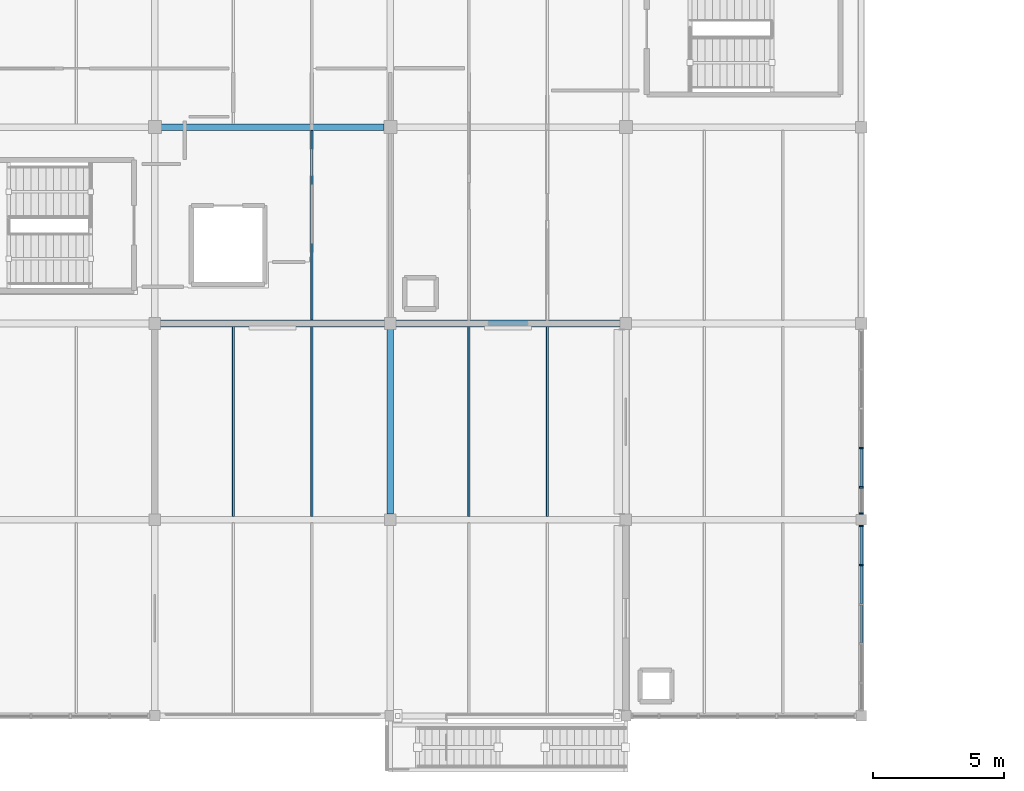
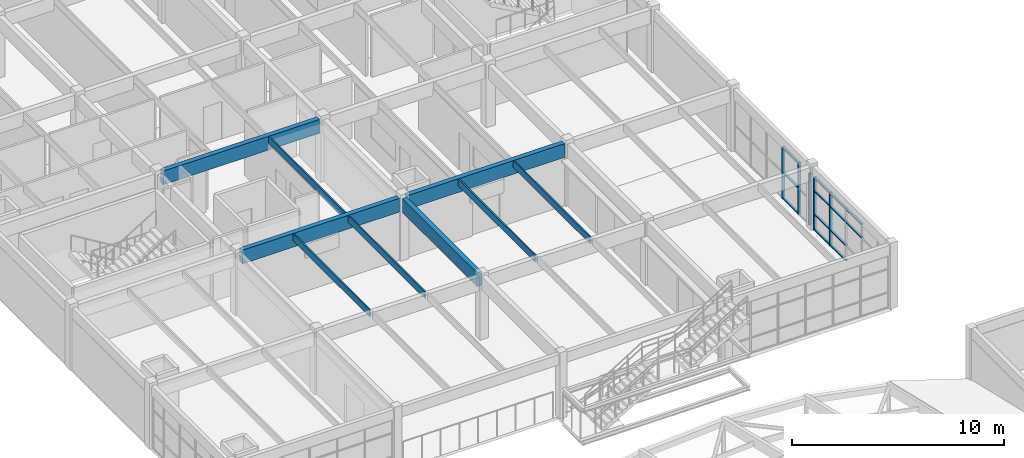
# One storey, part 22 of 81: 18 members, 9 beams, 2 elements without a shape of their own.
"""IFC4 building model written with IfcOpenShell, lengths in metres."""

from ifc_helpers import new_model, si_unit, direction, frame, origin, origin_2d, place, context, subcontext, project, spatial, rectangle, extrude, material, layer, layer_set, material_profile, profile_set, type_object, element, aggregate, save


model = new_model("IFC4")

# Units and contexts
model_context = context("Model", 3, precision=1e-05, world=origin(), true_north=direction((0.0, 1.0)))
body_context = subcontext(model_context, "Body", "Model", "MODEL_VIEW")
ifc_project = project(units=[si_unit("LENGTHUNIT", "METRE"), si_unit("AREAUNIT", "SQUARE_METRE"), si_unit("VOLUMEUNIT", "CUBIC_METRE"), si_unit("PLANEANGLEUNIT", "RADIAN"), si_unit("MASSUNIT", "GRAM", prefix="KILO")], contexts=[model_context])

# Site, building, storey
site_placement = place(None, origin())
site = spatial("IfcSite", under=ifc_project, at=site_placement, CompositionType="ELEMENT")
building_placement = place(site_placement, origin())
building = spatial("IfcBuilding", under=site, at=building_placement, Name="Marnridge Secondary College", CompositionType="ELEMENT")
storey_placement = place(building_placement, frame((0.0, 0.0, 8.5)))
storey = spatial("IfcBuildingStorey", under=building, at=storey_placement, Name="L02", CompositionType="ELEMENT", Elevation=8.5)

# Beams
ifc_material_1 = material(Name="Glulam timber GL18", Category="wood")
ifc_material_profile_1 = material_profile(ifc_material_1, rectangle(XDim=0.260009765625, YDim=0.7900390625, at=origin_2d()), Name="GL18 260x790")
ifc_profile_set_1 = profile_set([ifc_material_profile_1], Name="Glulam timber GL18")
beam_type_1 = type_object("IfcBeamType", Name="BM-GL790-INT", PredefinedType="BEAM", material=ifc_profile_set_1)
beam_1_placement = place(storey_placement, frame((63.218994140625, 52.5, 3.175048828125), z_axis=(1.0, 0.0, 0.0), x_axis=(0.0, 1.0, 0.0)))
element("IfcBeam", 1, at=beam_1_placement, inside=storey, type_object=beam_type_1, Name="Beam B-L02-0770", PredefinedType="BEAM", context=body_context, shape_type="SweptSolid", body=[
    extrude(rectangle(XDim=0.260009765625, YDim=0.7900390625, at=origin_2d()), origin(), (0.0, 0.0, 1.0), 8.56201171875),
])
beam_2_placement = place(storey_placement, frame((72.0, 45.218994140625, 3.175048828125), z_axis=(0.0, 1.0, 0.0), x_axis=(-1.0, 0.0, 0.0)))
element("IfcBeam", 2, at=beam_2_placement, inside=storey, type_object=beam_type_1, Name="Beam B-L02-0771", PredefinedType="BEAM", context=body_context, shape_type="SweptSolid", body=[
    extrude(rectangle(XDim=0.260009765625, YDim=0.7900390625, at=origin_2d()), origin(), (0.0, 0.0, 1.0), 7.06201171875),
])
beam_3_placement = place(storey_placement, frame((63.243896484375, 60.0, 3.175048828125), z_axis=(1.0, 0.0, 0.0), x_axis=(0.0, 1.0, 0.0)))
element("IfcBeam", 3, at=beam_3_placement, inside=storey, type_object=beam_type_1, Name="Beam B-L02-0772", PredefinedType="BEAM", context=body_context, shape_type="SweptSolid", body=[
    extrude(rectangle(XDim=0.260009765625, YDim=0.7900390625, at=origin_2d()), origin(), (0.0, 0.0, 1.0), 8.51220703125),
])
beam_4_placement = place(storey_placement, frame((72.218994140625, 52.5, 3.175048828125), z_axis=(1.0, 0.0, 0.0), x_axis=(0.0, 1.0, 0.0)))
element("IfcBeam", 4, at=beam_4_placement, inside=storey, type_object=beam_type_1, Name="Beam B-L02-0779", PredefinedType="BEAM", context=body_context, shape_type="SweptSolid", body=[
    extrude(rectangle(XDim=0.260009765625, YDim=0.7900390625, at=origin_2d()), origin(), (0.0, 0.0, 1.0), 8.56201171875),
])
ifc_material_2 = material(Name="Engineered timber LVL E13.2", Category="wood")
ifc_material_profile_2 = material_profile(ifc_material_2, rectangle(XDim=0.074951171875, YDim=0.39990234375, at=origin_2d()), Name="LVL 75x400")
ifc_profile_set_2 = profile_set([ifc_material_profile_2], Name="Engineered timber LVL E13.2")
beam_type_2 = type_object("IfcBeamType", Name="BM-LVL400-INT", PredefinedType="JOIST", material=ifc_profile_set_2)
for number, where, z_axis, x_axis, name in (
    (5, (66.0, 45.1240234375, 3.3701171875), (0.0, 1.0, 0.0), (-1.0, 0.0, 0.0), "Beam BJ-L02-0820"),
    (6, (69.0, 45.1240234375, 3.3701171875), (0.0, 1.0, 0.0), (-1.0, 0.0, 0.0), "Beam BJ-L02-0821"),
    (7, (69.0, 52.6240234375, 3.3701171875), (0.0, 1.0, 0.0), (-1.0, 0.0, 0.0), "Beam BJ-L02-0822"),
    (8, (75.0, 45.1240234375, 3.3701171875), (0.0, 1.0, 0.0), (-1.0, 0.0, 0.0), "Beam BJ-L02-0827"),
    (9, (78.0, 45.1240234375, 3.3701171875), (0.0, 1.0, 0.0), (-1.0, 0.0, 0.0), "Beam BJ-L02-0828"),
):
    element("IfcBeam", number, at=place(storey_placement, frame(where, z_axis=z_axis, x_axis=x_axis)), inside=storey, type_object=beam_type_2, Name=name, PredefinedType="JOIST", context=body_context, shape_type="SweptSolid", body=[
        extrude(rectangle(XDim=0.074951171875, YDim=0.39990234375, at=origin_2d()), origin(), (0.0, 0.0, 1.0), 7.251953125),
    ])

# Curtain wall, members
ifc_material_3 = material(Name="Thermally broken aluminium and low-E glazing", Category="aluminium")
ifc_layer = layer(ifc_material_3, 0.159912109375)
ifc_layer_set = layer_set([ifc_layer], Name="CW-MOD-1500")
curtain_wall_type = type_object("IfcCurtainWallType", Name="CW-MOD-1500", PredefinedType="NOTDEFINED", material=ifc_layer_set)
curtain_wall_1_placement = place(storey_placement, origin())
curtain_wall_1 = element("IfcCurtainWall", 10, at=curtain_wall_1_placement, inside=storey, type_object=curtain_wall_type, Name="Unitised curtain wall CW-L02-078", PredefinedType="NOTDEFINED")
ifc_material_4 = material(Name="Anodised aluminium 6063-T6", Category="aluminium")
ifc_material_profile_3 = material_profile(ifc_material_4, rectangle(XDim=0.06005859375, YDim=0.159912109375, at=origin_2d()), Name="ALU 60x160")
ifc_profile_set_3 = profile_set([ifc_material_profile_3], Name="Anodised aluminium 6063-T6")
member_type_1 = type_object("IfcMemberType", Name="CWM-ALU160", PredefinedType="MULLION", material=ifc_profile_set_3)
member_1_placement = place(storey_placement, frame((90.0, 47.740966796875, 0.0), z_axis=(0.0, 0.0, 1.0), x_axis=(0.0, -1.0, 0.0)))
member_1 = element("IfcMember", 11, at=member_1_placement, type_object=member_type_1, Name="CW-L02-078 mullion 4", PredefinedType="MULLION", context=body_context, shape_type="SweptSolid", body=[
    extrude(rectangle(XDim=0.06005859375, YDim=0.159912109375, at=origin_2d()), origin(), (0.0, 0.0, 1.0), 2.97705078125),
])
member_2_placement = place(storey_placement, frame((90.0, 46.240966796875, 0.0), z_axis=(0.0, 0.0, 1.0), x_axis=(0.0, -1.0, 0.0)))
member_2 = element("IfcMember", 12, at=member_2_placement, type_object=member_type_1, Name="CW-L02-078 mullion 5", PredefinedType="MULLION", context=body_context, shape_type="SweptSolid", body=[
    extrude(rectangle(XDim=0.06005859375, YDim=0.159912109375, at=origin_2d()), origin(), (0.0, 0.0, 1.0), 2.97705078125),
])
member_3_placement = place(storey_placement, frame((90.0, 45.23388671875, 0.0), z_axis=(0.0, 0.0, 1.0), x_axis=(0.0, -1.0, 0.0)))
member_3 = element("IfcMember", 13, at=member_3_placement, type_object=member_type_1, Name="CW-L02-078 mullion 6", PredefinedType="MULLION", context=body_context, shape_type="SweptSolid", body=[
    extrude(rectangle(XDim=0.06005859375, YDim=0.159912109375, at=origin_2d()), origin(), (0.0, 0.0, 1.0), 2.97705078125),
])

curtain_wall_2_placement = place(storey_placement, origin())
curtain_wall_2 = element("IfcCurtainWall", 14, at=curtain_wall_2_placement, inside=storey, type_object=curtain_wall_type, Name="Unitised curtain wall CW-L02-079", PredefinedType="NOTDEFINED")
member_4_placement = place(storey_placement, frame((90.0, 44.76611328125, 0.0), z_axis=(0.0, 0.0, 1.0), x_axis=(0.0, -1.0, 0.0)))
member_4 = element("IfcMember", 15, at=member_4_placement, type_object=member_type_1, Name="CW-L02-079 mullion 1", PredefinedType="MULLION", context=body_context, shape_type="SweptSolid", body=[
    extrude(rectangle(XDim=0.06005859375, YDim=0.159912109375, at=origin_2d()), origin(), (0.0, 0.0, 1.0), 3.047119140625),
])
member_5_placement = place(storey_placement, frame((90.0, 43.26611328125, 0.0), z_axis=(0.0, 0.0, 1.0), x_axis=(0.0, -1.0, 0.0)))
member_5 = element("IfcMember", 16, at=member_5_placement, type_object=member_type_1, Name="CW-L02-079 mullion 2", PredefinedType="MULLION", context=body_context, shape_type="SweptSolid", body=[
    extrude(rectangle(XDim=0.06005859375, YDim=0.159912109375, at=origin_2d()), origin(), (0.0, 0.0, 1.0), 3.047119140625),
])

# Member
ifc_material_5 = material(Name="Anodised aluminium 6063-T6", Category="aluminium")
ifc_material_profile_4 = material_profile(ifc_material_5, rectangle(XDim=0.06005859375, YDim=0.1201171875, at=origin_2d()), Name="ALU 60x120")
ifc_profile_set_4 = profile_set([ifc_material_profile_4], Name="Anodised aluminium 6063-T6")
member_type_2 = type_object("IfcMemberType", Name="CWT-ALU120", PredefinedType="USERDEFINED", material=ifc_profile_set_4)
member_6_placement = place(storey_placement, frame((90.0, 47.7109375, 0.030029296875), z_axis=(0.0, -1.0, 0.0), x_axis=(0.0, 0.0, 1.0)))
member_6 = element("IfcMember", 17, at=member_6_placement, type_object=member_type_2, Name="CW-L02-078 transom 4.1", ObjectType="TRANSOM", PredefinedType="USERDEFINED", context=body_context, shape_type="SweptSolid", body=[
    extrude(rectangle(XDim=0.06005859375, YDim=0.1201171875, at=origin_2d()), origin(), (0.0, 0.0, 1.0), 1.43994140625),
])

member_7_placement = place(storey_placement, frame((90.0, 47.7109375, 1.489013671875), z_axis=(0.0, -1.0, 0.0), x_axis=(0.0, 0.0, 1.0)))
member_7 = element("IfcMember", 18, at=member_7_placement, type_object=member_type_2, Name="CW-L02-078 transom 4.2", ObjectType="TRANSOM", PredefinedType="USERDEFINED", context=body_context, shape_type="SweptSolid", body=[
    extrude(rectangle(XDim=0.06005859375, YDim=0.1201171875, at=origin_2d()), origin(), (0.0, 0.0, 1.0), 1.43994140625),
])

member_8_placement = place(storey_placement, frame((90.0, 47.7109375, 2.947021484375), z_axis=(0.0, -1.0, 0.0), x_axis=(0.0, 0.0, 1.0)))
member_8 = element("IfcMember", 19, at=member_8_placement, type_object=member_type_2, Name="CW-L02-078 transom 4.3", ObjectType="TRANSOM", PredefinedType="USERDEFINED", context=body_context, shape_type="SweptSolid", body=[
    extrude(rectangle(XDim=0.06005859375, YDim=0.1201171875, at=origin_2d()), origin(), (0.0, 0.0, 1.0), 1.43994140625),
])

aggregate(curtain_wall_1, [member_1, member_2, member_3, member_6, member_7, member_8])

member_9_placement = place(storey_placement, frame((90.0, 44.736083984375, 0.030029296875), z_axis=(0.0, -1.0, 0.0), x_axis=(0.0, 0.0, 1.0)))
member_9 = element("IfcMember", 20, at=member_9_placement, type_object=member_type_2, Name="CW-L02-079 transom 1.1", ObjectType="TRANSOM", PredefinedType="USERDEFINED", context=body_context, shape_type="SweptSolid", body=[
    extrude(rectangle(XDim=0.06005859375, YDim=0.1201171875, at=origin_2d()), origin(), (0.0, 0.0, 1.0), 1.440185546875),
])

member_10_placement = place(storey_placement, frame((90.0, 44.736083984375, 0.89990234375), z_axis=(0.0, -1.0, 0.0), x_axis=(0.0, 0.0, 1.0)))
member_10 = element("IfcMember", 21, at=member_10_placement, type_object=member_type_2, Name="CW-L02-079 transom 1.2", ObjectType="TRANSOM", PredefinedType="USERDEFINED", context=body_context, shape_type="SweptSolid", body=[
    extrude(rectangle(XDim=0.06005859375, YDim=0.1201171875, at=origin_2d()), origin(), (0.0, 0.0, 1.0), 1.440185546875),
])

member_11_placement = place(storey_placement, frame((90.0, 44.736083984375, 2.25), z_axis=(0.0, -1.0, 0.0), x_axis=(0.0, 0.0, 1.0)))
member_11 = element("IfcMember", 22, at=member_11_placement, type_object=member_type_2, Name="CW-L02-079 transom 1.3", ObjectType="TRANSOM", PredefinedType="USERDEFINED", context=body_context, shape_type="SweptSolid", body=[
    extrude(rectangle(XDim=0.06005859375, YDim=0.1201171875, at=origin_2d()), origin(), (0.0, 0.0, 1.0), 1.440185546875),
])

member_12_placement = place(storey_placement, frame((90.0, 44.736083984375, 3.01708984375), z_axis=(0.0, -1.0, 0.0), x_axis=(0.0, 0.0, 1.0)))
member_12 = element("IfcMember", 23, at=member_12_placement, type_object=member_type_2, Name="CW-L02-079 transom 1.4", ObjectType="TRANSOM", PredefinedType="USERDEFINED", context=body_context, shape_type="SweptSolid", body=[
    extrude(rectangle(XDim=0.06005859375, YDim=0.1201171875, at=origin_2d()), origin(), (0.0, 0.0, 1.0), 1.440185546875),
])

member_13_placement = place(storey_placement, frame((90.0, 43.236083984375, 0.030029296875), z_axis=(0.0, -1.0, 0.0), x_axis=(0.0, 0.0, 1.0)))
member_13 = element("IfcMember", 24, at=member_13_placement, type_object=member_type_2, Name="CW-L02-079 transom 2.1", ObjectType="TRANSOM", PredefinedType="USERDEFINED", context=body_context, shape_type="SweptSolid", body=[
    extrude(rectangle(XDim=0.06005859375, YDim=0.1201171875, at=origin_2d()), origin(), (0.0, 0.0, 1.0), 1.440185546875),
])

member_14_placement = place(storey_placement, frame((90.0, 43.236083984375, 0.89990234375), z_axis=(0.0, -1.0, 0.0), x_axis=(0.0, 0.0, 1.0)))
member_14 = element("IfcMember", 25, at=member_14_placement, type_object=member_type_2, Name="CW-L02-079 transom 2.2", ObjectType="TRANSOM", PredefinedType="USERDEFINED", context=body_context, shape_type="SweptSolid", body=[
    extrude(rectangle(XDim=0.06005859375, YDim=0.1201171875, at=origin_2d()), origin(), (0.0, 0.0, 1.0), 1.440185546875),
])

member_15_placement = place(storey_placement, frame((90.0, 43.236083984375, 2.25), z_axis=(0.0, -1.0, 0.0), x_axis=(0.0, 0.0, 1.0)))
member_15 = element("IfcMember", 26, at=member_15_placement, type_object=member_type_2, Name="CW-L02-079 transom 2.3", ObjectType="TRANSOM", PredefinedType="USERDEFINED", context=body_context, shape_type="SweptSolid", body=[
    extrude(rectangle(XDim=0.06005859375, YDim=0.1201171875, at=origin_2d()), origin(), (0.0, 0.0, 1.0), 1.440185546875),
])

member_16_placement = place(storey_placement, frame((90.0, 43.236083984375, 3.01708984375), z_axis=(0.0, -1.0, 0.0), x_axis=(0.0, 0.0, 1.0)))
member_16 = element("IfcMember", 27, at=member_16_placement, type_object=member_type_2, Name="CW-L02-079 transom 2.4", ObjectType="TRANSOM", PredefinedType="USERDEFINED", context=body_context, shape_type="SweptSolid", body=[
    extrude(rectangle(XDim=0.06005859375, YDim=0.1201171875, at=origin_2d()), origin(), (0.0, 0.0, 1.0), 1.440185546875),
])

member_17_placement = place(storey_placement, frame((90.0, 41.736083984375, 2.25), z_axis=(0.0, -1.0, 0.0), x_axis=(0.0, 0.0, 1.0)))
member_17 = element("IfcMember", 28, at=member_17_placement, type_object=member_type_2, Name="CW-L02-079 transom 3.3", ObjectType="TRANSOM", PredefinedType="USERDEFINED", context=body_context, shape_type="SweptSolid", body=[
    extrude(rectangle(XDim=0.06005859375, YDim=0.1201171875, at=origin_2d()), origin(), (0.0, 0.0, 1.0), 1.440185546875),
])

member_18_placement = place(storey_placement, frame((90.0, 41.736083984375, 3.01708984375), z_axis=(0.0, -1.0, 0.0), x_axis=(0.0, 0.0, 1.0)))
member_18 = element("IfcMember", 29, at=member_18_placement, type_object=member_type_2, Name="CW-L02-079 transom 3.4", ObjectType="TRANSOM", PredefinedType="USERDEFINED", context=body_context, shape_type="SweptSolid", body=[
    extrude(rectangle(XDim=0.06005859375, YDim=0.1201171875, at=origin_2d()), origin(), (0.0, 0.0, 1.0), 1.440185546875),
])

aggregate(curtain_wall_2, [member_4, member_5, member_9, member_10, member_11, member_12, member_13, member_14, member_15, member_16, member_17, member_18])

save(model, "model.ifc")
